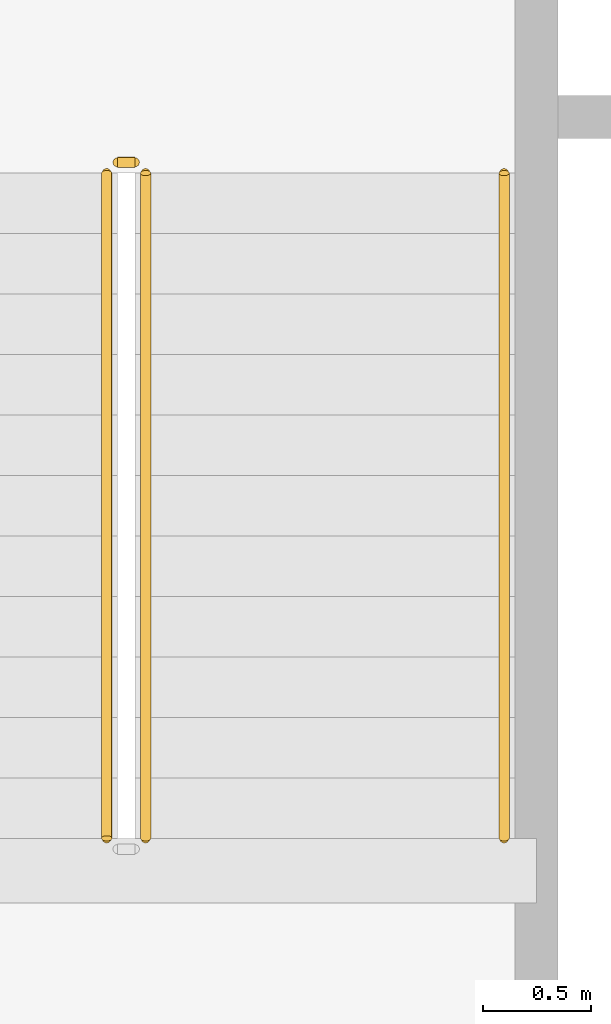
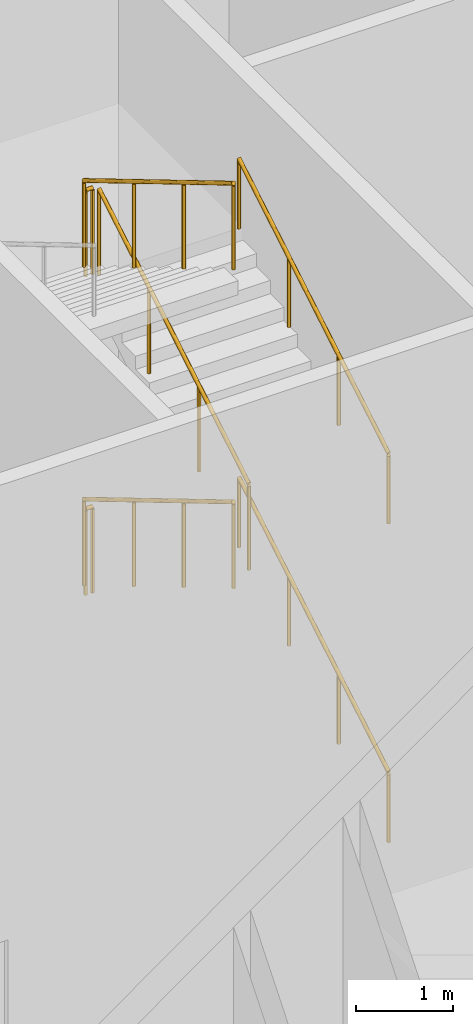
# One storey, part 51 of 55: 7 railings.
"""IFC4 building model written with IfcOpenShell, lengths in metres."""

from ifc_helpers import new_model, si_unit, direction, frame, origin, origin_2d, place, context, subcontext, project, spatial, circle, extrude, material, type_object, element, save


model = new_model("IFC4")

# Units and contexts
model_context = context("Model", 3, precision=1e-05, world=origin(), true_north=direction((0.0, 1.0)))
body_context = subcontext(model_context, "Body", "Model", "MODEL_VIEW")
ifc_project = project(units=[si_unit("LENGTHUNIT", "METRE"), si_unit("AREAUNIT", "SQUARE_METRE"), si_unit("VOLUMEUNIT", "CUBIC_METRE"), si_unit("PLANEANGLEUNIT", "RADIAN"), si_unit("MASSUNIT", "GRAM", prefix="KILO")], contexts=[model_context])

# Site, building, storey
site_placement = place(None, origin())
site = spatial("IfcSite", under=ifc_project, at=site_placement, CompositionType="ELEMENT")
building_placement = place(site_placement, origin())
building = spatial("IfcBuilding", under=site, at=building_placement, Name="Tarsis Ring Headquarters", CompositionType="ELEMENT")
storey_placement = place(building_placement, frame((0.0, 0.0, 247.199951171875)))
storey = spatial("IfcBuildingStorey", under=building, at=storey_placement, Name="L58", CompositionType="ELEMENT", Elevation=247.199951171875)

# Railings
ifc_material = material(Name="Steel S355", Category="steel")
railing_type_1 = type_object("IfcRailingType", Name="Core stair guard 1100", PredefinedType="GUARDRAIL", material=ifc_material)
railing_1_placement = place(storey_placement, frame((4.5400390625, 6.7900390625, 2.0)))
element("IfcRailing", 1, at=railing_1_placement, inside=storey, type_object=railing_type_1, Name="L58 ST2 stair guard 2", PredefinedType="GUARDRAIL", context=body_context, shape_type="SweptSolid", body=[
    extrude(circle(Radius=0.02392578125, at=origin_2d()), frame((0.0, 0.0, 1.076171875), z_axis=(-1.0, 0.0, 0.0), x_axis=(0.0, -1.0, 0.0)), (0.0, 0.0, 1.0), 0.080078125),
    extrude(circle(Radius=0.02099609375, at=origin_2d()), origin(), (0.0, 0.0, 1.0), 1.052001953125),
    extrude(circle(Radius=0.02099609375, at=origin_2d()), frame((-0.080078125, 0.0, 0.0)), (0.0, 0.0, 1.0), 1.052001953125),
])
railing_2_placement = place(storey_placement, frame((4.409912109375, 6.739990234375, 2.166748046875)))
element("IfcRailing", 2, at=railing_2_placement, inside=storey, type_object=railing_type_1, Name="L58 ST2 stair guard 3", PredefinedType="GUARDRAIL", context=body_context, shape_type="SweptSolid", body=[
    extrude(circle(Radius=0.02392578125, at=origin_2d()), frame((0.0, 0.0, 1.076171875), z_axis=(0.0, -0.859308565015, 0.511457515432), x_axis=(1.0, 0.0, 0.0)), (0.0, 0.0, 1.0), 3.58447265625),
    extrude(circle(Radius=0.02099609375, at=origin_2d()), origin(), (0.0, 0.0, 1.0), 1.052001953125),
    extrude(circle(Radius=0.02099609375, at=origin_2d()), frame((0.0, -1.026611328125, 0.611083984375)), (0.0, 0.0, 1.0), 1.052001953125),
    extrude(circle(Radius=0.02099609375, at=origin_2d()), frame((0.0, -2.053466796875, 1.22216796875)), (0.0, 0.0, 1.0), 1.052001953125),
    extrude(circle(Radius=0.02099609375, at=origin_2d()), frame((0.0, -3.080078125, 1.833251953125)), (0.0, 0.0, 1.0), 1.052001953125),
])
railing_3_placement = place(storey_placement, frame((4.590087890625, 3.659912109375, 4.166748046875)))
element("IfcRailing", 3, at=railing_3_placement, inside=storey, type_object=railing_type_1, Name="L58 ST2 stair guard 5", PredefinedType="GUARDRAIL", context=body_context, shape_type="SweptSolid", body=[
    extrude(circle(Radius=0.02392578125, at=origin_2d()), frame((0.0, 0.0, 1.076171875), z_axis=(0.0, 0.859308565015, 0.511457515432), x_axis=(-1.0, 0.0, 0.0)), (0.0, 0.0, 1.0), 3.58447265625),
    extrude(circle(Radius=0.02099609375, at=origin_2d()), origin(), (0.0, 0.0, 1.0), 1.052001953125),
    extrude(circle(Radius=0.02099609375, at=origin_2d()), frame((0.0, 1.026611328125, 0.611083984375)), (0.0, 0.0, 1.0), 1.052001953125),
    extrude(circle(Radius=0.02099609375, at=origin_2d()), frame((0.0, 2.053466796875, 1.22216796875)), (0.0, 0.0, 1.0), 1.052001953125),
    extrude(circle(Radius=0.02099609375, at=origin_2d()), frame((0.0, 3.080078125, 1.833251953125)), (0.0, 0.0, 1.0), 1.052001953125),
])
railing_4_placement = place(storey_placement, frame((4.5400390625, 6.7900390625, 6.0)))
element("IfcRailing", 4, at=railing_4_placement, inside=storey, type_object=railing_type_1, Name="L58 ST2 stair guard 6", PredefinedType="GUARDRAIL", context=body_context, shape_type="SweptSolid", body=[
    extrude(circle(Radius=0.02392578125, at=origin_2d()), frame((0.0, 0.0, 1.076171875), z_axis=(-1.0, 0.0, 0.0), x_axis=(0.0, -1.0, 0.0)), (0.0, 0.0, 1.0), 0.080078125),
    extrude(circle(Radius=0.02099609375, at=origin_2d()), origin(), (0.0, 0.0, 1.0), 1.052001953125),
    extrude(circle(Radius=0.02099609375, at=origin_2d()), frame((-0.080078125, 0.0, 0.0)), (0.0, 0.0, 1.0), 1.052001953125),
])
railing_5_placement = place(storey_placement, frame((4.409912109375, 6.739990234375, 6.166748046875)))
element("IfcRailing", 5, at=railing_5_placement, inside=storey, type_object=railing_type_1, Name="L58 ST2 stair guard 7", PredefinedType="GUARDRAIL", context=body_context, shape_type="SweptSolid", body=[
    extrude(circle(Radius=0.02392578125, at=origin_2d()), frame((0.0, 0.0, 1.076171875), z_axis=(0.0, -0.859308565015, 0.511457515432), x_axis=(1.0, 0.0, 0.0)), (0.0, 0.0, 1.0), 3.58447265625),
    extrude(circle(Radius=0.02099609375, at=origin_2d()), origin(), (0.0, 0.0, 1.0), 1.052001953125),
    extrude(circle(Radius=0.02099609375, at=origin_2d()), frame((0.0, -1.026611328125, 0.611083984375)), (0.0, 0.0, 1.0), 1.052001953125),
    extrude(circle(Radius=0.02099609375, at=origin_2d()), frame((0.0, -2.053466796875, 1.22216796875)), (0.0, 0.0, 1.0), 1.052001953125),
    extrude(circle(Radius=0.02099609375, at=origin_2d()), frame((0.0, -3.080078125, 1.833251953125)), (0.0, 0.0, 1.0), 1.052001953125),
])
railing_type_2 = type_object("IfcRailingType", Name="Core stair handrail 900", PredefinedType="HANDRAIL", material=ifc_material)
for number, where, name in (
    (6, (6.25, 3.659912109375, 0.166748046875), "L58 ST2 stair handrail 1"),
    (7, (6.25, 3.659912109375, 4.166748046875), "L58 ST2 stair handrail 3"),
):
    element("IfcRailing", number, at=place(storey_placement, frame(where)), inside=storey, type_object=railing_type_2, Name=name, PredefinedType="HANDRAIL", context=body_context, shape_type="SweptSolid", body=[
        extrude(circle(Radius=0.02392578125, at=origin_2d()), frame((0.0, 0.0, 0.8759765625), z_axis=(0.0, 0.859308565015, 0.511457515432), x_axis=(-1.0, 0.0, 0.0)), (0.0, 0.0, 1.0), 3.58447265625),
        extrude(circle(Radius=0.02099609375, at=origin_2d()), origin(), (0.0, 0.0, 1.0), 0.851806640625),
        extrude(circle(Radius=0.02099609375, at=origin_2d()), frame((0.0, 1.026611328125, 0.611083984375)), (0.0, 0.0, 1.0), 0.851806640625),
        extrude(circle(Radius=0.02099609375, at=origin_2d()), frame((0.0, 2.053466796875, 1.22216796875)), (0.0, 0.0, 1.0), 0.851806640625),
        extrude(circle(Radius=0.02099609375, at=origin_2d()), frame((0.0, 3.080078125, 1.833251953125)), (0.0, 0.0, 1.0), 0.851806640625),
    ])

save(model, "model.ifc")
